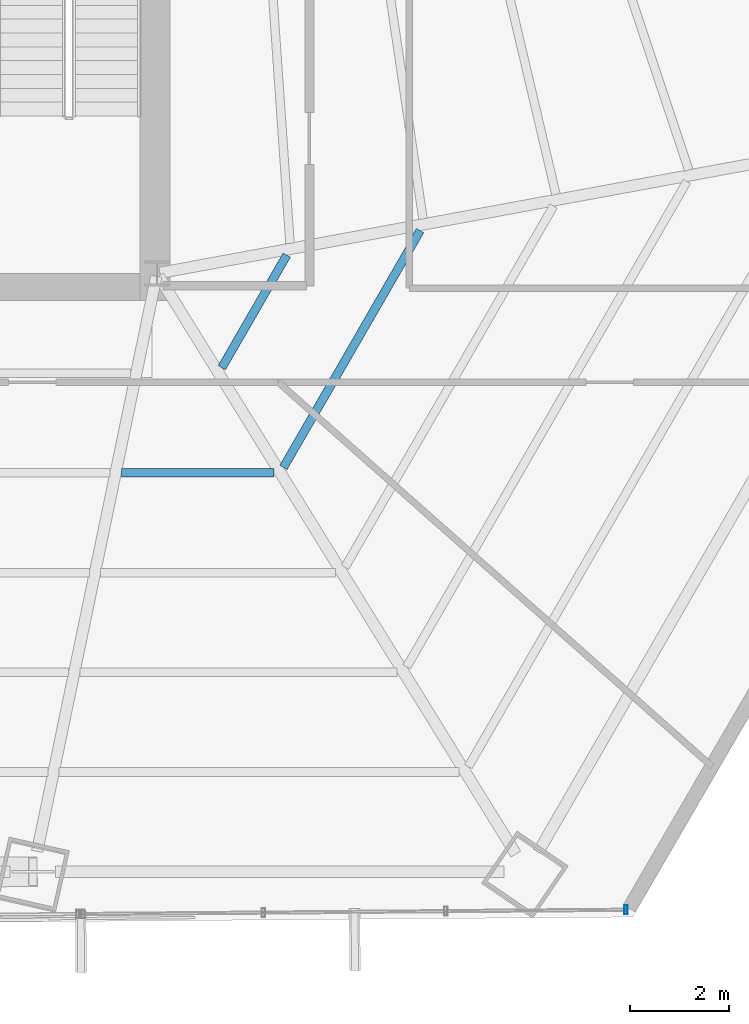
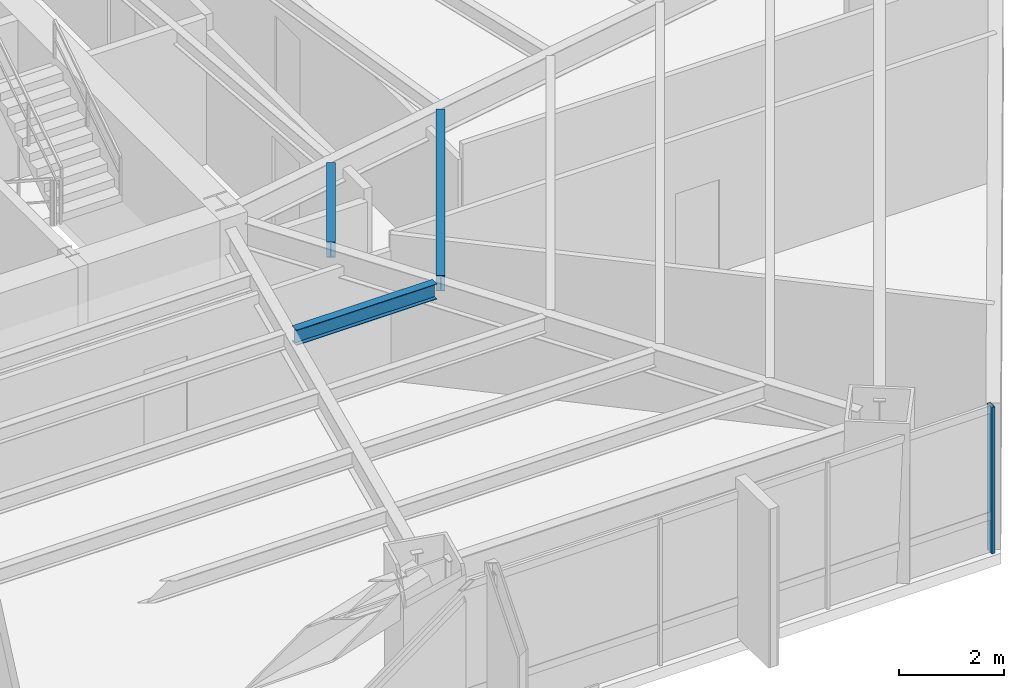
# One storey, part 17 of 34: 3 beams, 1 member, 1 element without a shape of its own.
"""IFC4 building model written with IfcOpenShell, lengths in metres."""

import ifcopenshell
import ifcopenshell.guid

model = None  # the IFC model being written
_history = None  # IfcOwnerHistory: only IFC2X3 demands one
_inside = {}  # id of a spatial element -> (the spatial element, [elements in it])
_under = {}  # id of a project, library or spatial element -> (it, [spatial elements below it])
_declared = {}  # id of a project -> (the project, [libraries it declares])
_typed = {}  # id of a type object -> (the type object, [elements of that type])
_made_of = {}  # id of a material, layer set ... -> (it, [elements and type objects made of it])


def new_model(schema):
    """Start an empty IFC model of exactly this schema.

    Asked for "IFC4X3", IfcOpenShell would pick the latest addendum, in which some entities
    have other attributes; the version numbers below select the first issue.
    IFC2X3 requires an IfcOwnerHistory on every rooted entity: one is made here for all.
    """
    global model, _history
    if schema == "IFC4X3":
        model = ifcopenshell.file(schema_version=(4, 3, 0, 0))
    else:
        model = ifcopenshell.file(schema=schema)
    _inside.clear()
    _under.clear()
    _declared.clear()
    _typed.clear()
    _made_of.clear()
    _history = None
    if model.schema == "IFC2X3":
        org = make("IfcOrganization", Name="unknown")
        user = make(
            "IfcPersonAndOrganization",
            ThePerson=make("IfcPerson", FamilyName="unknown"),
            TheOrganization=org,
        )
        app = make(
            "IfcApplication",
            ApplicationDeveloper=org,
            Version="unknown",
            ApplicationFullName="unknown",
            ApplicationIdentifier="unknown",
        )
        _history = make(
            "IfcOwnerHistory",
            OwningUser=user,
            OwningApplication=app,
            ChangeAction="ADDED",
            CreationDate=0,
        )
    return model


def make(cls, **values):
    """One entity of the class cls with the attributes given. An attribute that is None is left unset."""
    return model.create_entity(
        cls, **{name: value for name, value in values.items() if value is not None}
    )


def rooted(cls, **values):
    """An entity with a GlobalId (a new one), such as an element, a storey or a relation."""
    return make(cls, GlobalId=ifcopenshell.guid.new(), OwnerHistory=_history, **values)


def si_unit(unit_type, name, prefix=None):
    """IfcSIUnit, for example si_unit("LENGTHUNIT", "METRE", prefix="MILLI")."""
    return make("IfcSIUnit", UnitType=unit_type, Prefix=prefix, Name=name)


def assignment(units):
    """IfcUnitAssignment: the units of a project."""
    return None if units is None else make("IfcUnitAssignment", Units=units)


def point(xyz):
    """IfcCartesianPoint."""
    return None if xyz is None else make("IfcCartesianPoint", Coordinates=xyz)


def direction(xyz):
    """IfcDirection."""
    return None if xyz is None else make("IfcDirection", DirectionRatios=xyz)


def frame(location, z_axis=None, x_axis=None):
    """IfcAxis2Placement3D, a coordinate frame: its origin and axes. An axis left out is left unset."""
    return make(
        "IfcAxis2Placement3D",
        Location=point(location),
        Axis=direction(z_axis),
        RefDirection=direction(x_axis),
    )


def frame_2d(location, x_axis=None):
    """IfcAxis2Placement2D, a coordinate frame in the plane: its origin and x axis."""
    return make(
        "IfcAxis2Placement2D", Location=point(location), RefDirection=direction(x_axis)
    )


def origin():
    """The frame at (0, 0, 0) with its axes left unset."""
    return frame((0.0, 0.0, 0.0))


def origin_2d():
    """The frame at (0, 0) in the plane with its x axis left unset."""
    return frame_2d((0.0, 0.0))


def place(relative_to, where):
    """IfcLocalPlacement: puts the frame where relative to a parent placement (None: the world)."""
    return make(
        "IfcLocalPlacement", PlacementRelTo=relative_to, RelativePlacement=where
    )


def context(
    kind, dimensions, precision=None, world=None, true_north=None, identifier=None
):
    """IfcGeometricRepresentationContext, for example the 3D "Model" context."""
    return make(
        "IfcGeometricRepresentationContext",
        ContextIdentifier=identifier,
        ContextType=kind,
        CoordinateSpaceDimension=dimensions,
        Precision=precision,
        WorldCoordinateSystem=world,
        TrueNorth=true_north,
    )


def subcontext(parent, identifier, kind, view, scale=None):
    """IfcGeometricRepresentationSubContext, for example "Body" below "Model"."""
    return make(
        "IfcGeometricRepresentationSubContext",
        ContextIdentifier=identifier,
        ContextType=kind,
        ParentContext=parent,
        TargetScale=scale,
        TargetView=view,
    )


def project(units=None, contexts=None):
    """IfcProject with its units and contexts."""
    return rooted(
        "IfcProject",
        Name="project",
        RepresentationContexts=contexts,
        UnitsInContext=assignment(units),
    )


def spatial(cls, under=None, at=None, **own):
    """A site, building, storey or space (cls), placed at a placement, below another one or the project."""
    s = rooted(cls, ObjectPlacement=at, **own)
    if under is not None:
        _under.setdefault(under.id(), (under, []))[1].append(s)
    return s


def profile(cls, at=None, kind="AREA", **sizes):
    """A parametric profile (cls). Its sizes go by their IFC names, for example OverallWidth=200.0."""
    return make(cls, ProfileType=kind, Position=at, **sizes)


def hollow_rectangle(**sizes):
    """IfcRectangleHollowProfileDef."""
    return profile("IfcRectangleHollowProfileDef", **sizes)


def i_section(**sizes):
    """IfcIShapeProfileDef."""
    return profile("IfcIShapeProfileDef", **sizes)


def extrude(swept, where, along, depth):
    """IfcExtrudedAreaSolid: the profile swept, set in the frame where, extruded along a direction by depth."""
    return make(
        "IfcExtrudedAreaSolid",
        SweptArea=swept,
        Position=where,
        ExtrudedDirection=direction(along),
        Depth=depth,
    )


def shape(context_of_items, identifier, shape_type, items):
    """IfcShapeRepresentation: the items that make up one representation, for example the "Body"."""
    return make(
        "IfcShapeRepresentation",
        ContextOfItems=context_of_items,
        RepresentationIdentifier=identifier,
        RepresentationType=shape_type,
        Items=items,
    )


def source(mapping_origin, context_of_items, identifier, shape_type, items):
    """IfcRepresentationMap: a shape defined once, which mapped items show again and again."""
    return make(
        "IfcRepresentationMap",
        MappingOrigin=mapping_origin,
        MappedRepresentation=shape(context_of_items, identifier, shape_type, items),
    )


def transform(
    local_origin,
    x_axis=None,
    y_axis=None,
    z_axis=None,
    scale=None,
    scale2=None,
    scale3=None,
    uniform=True,
):
    """IfcCartesianTransformationOperator3D, or its non-uniform kind. x_axis, y_axis, z_axis: its Axis1, 2, 3."""
    if uniform:
        return make(
            "IfcCartesianTransformationOperator3D",
            Axis1=direction(x_axis),
            Axis2=direction(y_axis),
            LocalOrigin=point(local_origin),
            Scale=scale,
            Axis3=direction(z_axis),
        )
    return make(
        "IfcCartesianTransformationOperator3DnonUniform",
        Axis1=direction(x_axis),
        Axis2=direction(y_axis),
        LocalOrigin=point(local_origin),
        Scale=scale,
        Axis3=direction(z_axis),
        Scale2=scale2,
        Scale3=scale3,
    )


def mapped(mapping_source, mapping_target):
    """IfcMappedItem: shows the shape of a source again, moved by a transform."""
    return make(
        "IfcMappedItem", MappingSource=mapping_source, MappingTarget=mapping_target
    )


def material(Name=None, Category=None):
    """IfcMaterial."""
    return make("IfcMaterial", Name=Name, Category=Category)


def material_profile(
    of_material, cross_section, Name=None, Category=None, Priority=None
):
    """IfcMaterialProfile: a cross section and its material."""
    return make(
        "IfcMaterialProfile",
        Name=Name,
        Material=of_material,
        Profile=cross_section,
        Priority=Priority,
        Category=Category,
    )


def profile_set(profiles, Name=None, composite=None):
    """IfcMaterialProfileSet."""
    return make(
        "IfcMaterialProfileSet",
        Name=Name,
        MaterialProfiles=profiles,
        CompositeProfile=composite,
    )


def made_of(thing, what):
    """Note that an element or type object is made of a material, layer set ...; save() writes the relation."""
    if what is not None:
        _made_of.setdefault(what.id(), (what, []))[1].append(thing)
    return thing


def type_object(cls, material=None, **own):
    """A type object (cls), such as IfcWallType, which elements share."""
    return made_of(rooted(cls, **own), material)


def type_shapes(of_type, sources):
    """Give a type object the sources (RepresentationMaps) that its elements show as mapped items."""
    of_type.RepresentationMaps = sources


def element(
    cls,
    number,
    at=None,
    inside=None,
    cuts=None,
    type_object=None,
    material=None,
    context=None,
    identifier="Body",
    shape_type=None,
    held_by="IfcProductDefinitionShape",
    body=None,
    shapes=None,
    **own,
):
    """One element of the class cls, such as IfcWall. Its Tag is "e" and its number.

    at: its placement. inside: the storey or other place that contains it. cuts: it is an
    opening in that element (IfcRelVoidsElement). A single representation is given by context,
    identifier, shape_type and body (its items); several are given by shapes. held_by: the class
    of the entity that holds the representations. save() writes the other relations.
    """
    e = rooted(cls, Tag="e%d" % number, ObjectPlacement=at, **own)
    if body is not None:
        shapes = [shape(context, identifier, shape_type, body)]
    if shapes is not None:
        e.Representation = make(held_by, Representations=shapes)
    if inside is not None:
        _inside.setdefault(inside.id(), (inside, []))[1].append(e)
    if cuts is not None:
        rooted(
            "IfcRelVoidsElement", RelatingBuildingElement=cuts, RelatedOpeningElement=e
        )
    if type_object is not None:
        _typed.setdefault(type_object.id(), (type_object, []))[1].append(e)
    return made_of(e, material)


def aggregate(whole, parts):
    """IfcRelAggregates: a whole, such as a stair, and the parts it consists of."""
    return rooted("IfcRelAggregates", RelatingObject=whole, RelatedObjects=parts)


def save(model, path):
    """Write the relations noted so far, then the file.

    IfcRelAggregates (storeys below a building ...), IfcRelContainedInSpatialStructure (elements
    in a storey), IfcRelDefinesByType, IfcRelAssociatesMaterial and IfcRelDeclares: one each for
    every whole, place, type object, material and project.
    """
    for whole, parts in _under.values():
        aggregate(whole, parts)
    for where, things in _inside.values():
        rooted(
            "IfcRelContainedInSpatialStructure",
            RelatedElements=things,
            RelatingStructure=where,
        )
    for kind, things in _typed.values():
        rooted("IfcRelDefinesByType", RelatedObjects=things, RelatingType=kind)
    for what, things in _made_of.values():
        rooted("IfcRelAssociatesMaterial", RelatedObjects=things, RelatingMaterial=what)
    for by, libraries in _declared.values():
        rooted("IfcRelDeclares", RelatingContext=by, RelatedDefinitions=libraries)
    model.write(path)


model = new_model("IFC4")

# Units and contexts
model_context = context("Model", 3, precision=1e-05, world=origin(), true_north=direction((0.0, 1.0)))
body_context = subcontext(model_context, "Body", "Model", "MODEL_VIEW")
ifc_project = project(units=[si_unit("LENGTHUNIT", "METRE"), si_unit("AREAUNIT", "SQUARE_METRE"), si_unit("VOLUMEUNIT", "CUBIC_METRE"), si_unit("PLANEANGLEUNIT", "RADIAN"), si_unit("MASSUNIT", "GRAM", prefix="KILO")], contexts=[model_context])

# Site, building, storey
site_placement = place(None, origin())
site = spatial("IfcSite", under=ifc_project, at=site_placement, CompositionType="ELEMENT")
building_placement = place(site_placement, origin())
building = spatial("IfcBuilding", under=site, at=building_placement, Name="Caelisora Broadcast Tower", CompositionType="ELEMENT")
storey_placement = place(building_placement, frame((0.0, 0.0, 49.5)))
storey = spatial("IfcBuildingStorey", under=building, at=storey_placement, Name="L12", CompositionType="ELEMENT", Elevation=49.5)

# Beams
ifc_material_1 = material(Name="Steel Grade 350 (AS/NZS 3679.1)", Category="steel")
ifc_material_profile_1 = material_profile(ifc_material_1, i_section(OverallWidth=0.172119140625, OverallDepth=0.358642578125, WebThickness=0.008056640625, FlangeThickness=0.012939453125, at=origin_2d()), Name="Steel Grade 350 (AS/NZS 3679.1)")
ifc_profile_set_1 = profile_set([ifc_material_profile_1], Name="Steel Grade 350 (AS/NZS 3679.1)")
beam_type = type_object("IfcBeamType", Name="SB02", PredefinedType="JOIST", material=ifc_profile_set_1)
shared_shape_1 = source(origin(), body_context, "Body", "SweptSolid", [
    extrude(i_section(OverallWidth=0.172119140625, OverallDepth=0.358642578125, WebThickness=0.008056640625, FlangeThickness=0.012939453125, at=origin_2d()), origin(), (0.0, 0.0, 1.0), 2.626953125),
])
beam_1_placement = place(storey_placement, frame((46.809326171875, 15.493896484375, 3.220703125), z_axis=(0.499977197062, 0.866038568666, 0.0), x_axis=(-0.866038568666, 0.499977197062, 0.0)))
element("IfcBeam", 1, at=beam_1_placement, inside=storey, type_object=beam_type, Name="L12 beam SB02", PredefinedType="JOIST", context=body_context, shape_type="MappedRepresentation", body=[
    mapped(shared_shape_1, transform((0.0, 0.0, 0.0), scale=1.0)),
])
shared_shape_2 = source(origin(), body_context, "Body", "SweptSolid", [
    extrude(i_section(OverallWidth=0.172119140625, OverallDepth=0.358642578125, WebThickness=0.008056640625, FlangeThickness=0.012939453125, at=origin_2d()), origin(), (0.0, 0.0, 1.0), 5.52734375),
])
beam_2_placement = place(storey_placement, frame((48.055419921875, 13.478271484375, 3.220703125), z_axis=(0.49999646442, 0.866027445043, 0.0), x_axis=(-0.866027445043, 0.49999646442, 0.0)))
element("IfcBeam", 2, at=beam_2_placement, inside=storey, type_object=beam_type, Name="L12 beam SB02", PredefinedType="JOIST", context=body_context, shape_type="MappedRepresentation", body=[
    mapped(shared_shape_2, transform((0.0, 0.0, 0.0), scale=1.0)),
])
shared_shape_3 = source(origin(), body_context, "Body", "SweptSolid", [
    extrude(i_section(OverallWidth=0.172119140625, OverallDepth=0.358642578125, WebThickness=0.008056640625, FlangeThickness=0.012939453125, at=origin_2d()), origin(), (0.0, 0.0, 1.0), 3.08349609375),
])
type_shapes(beam_type, [shared_shape_1, shared_shape_2, shared_shape_3])
beam_3_placement = place(storey_placement, frame((44.777587890625, 13.36865234375, 3.220703125), z_axis=(1.0, 0.0, 0.0), x_axis=(0.0, 1.0, 0.0)))
element("IfcBeam", 3, at=beam_3_placement, inside=storey, type_object=beam_type, Name="L12 beam SB02", PredefinedType="JOIST", context=body_context, shape_type="MappedRepresentation", body=[
    mapped(shared_shape_3, transform((0.0, 0.0, 0.0), scale=1.0)),
])

# Curtain wall, member
ifc_material_2 = material(Name="Unitised Aluminium and Low-E Glass Curtain Wall", Category="glass")
curtain_wall_type = type_object("IfcCurtainWallType", Name="CW-Z1", PredefinedType="NOTDEFINED", material=ifc_material_2)
curtain_wall_placement = place(storey_placement, origin())
curtain_wall = element("IfcCurtainWall", 4, at=curtain_wall_placement, inside=storey, type_object=curtain_wall_type, Name="L12 curtain wall CW-Z1", PredefinedType="NOTDEFINED")
ifc_material_3 = material(Name="Aluminium 6063-T6 Anodised Terracotta Bronze", Category="aluminium")
ifc_material_profile_2 = material_profile(ifc_material_3, hollow_rectangle(XDim=0.06494140625, YDim=0.179931640625, WallThickness=0.00341796875, at=origin_2d()), Name="Aluminium 6063-T6 Anodised Terracotta Bronze")
ifc_profile_set_2 = profile_set([ifc_material_profile_2], Name="Aluminium 6063-T6 Anodised Terracotta Bronze")
member_type = type_object("IfcMemberType", Name="CWM-02", PredefinedType="MULLION", material=ifc_profile_set_2)
shared_shape_4 = source(origin(), body_context, "Body", "SweptSolid", [
    extrude(hollow_rectangle(XDim=0.06494140625, YDim=0.179931640625, WallThickness=0.00341796875, at=origin_2d()), origin(), (0.0, 0.0, 1.0), 3.39990234375),
])
type_shapes(member_type, [shared_shape_4])
member_placement = place(storey_placement, frame((54.97900390625, 4.53759765625, 0.0), z_axis=(0.0, 0.0, 1.0), x_axis=(1.0, 0.0, 0.0)))
member = element("IfcMember", 5, at=member_placement, type_object=member_type, Name="L12-CW-B05 mullion #0", PredefinedType="MULLION", context=body_context, shape_type="MappedRepresentation", body=[
    mapped(shared_shape_4, transform((0.0, 0.0, 0.0), scale=1.0)),
])
aggregate(curtain_wall, [member])

save(model, "model.ifc")
